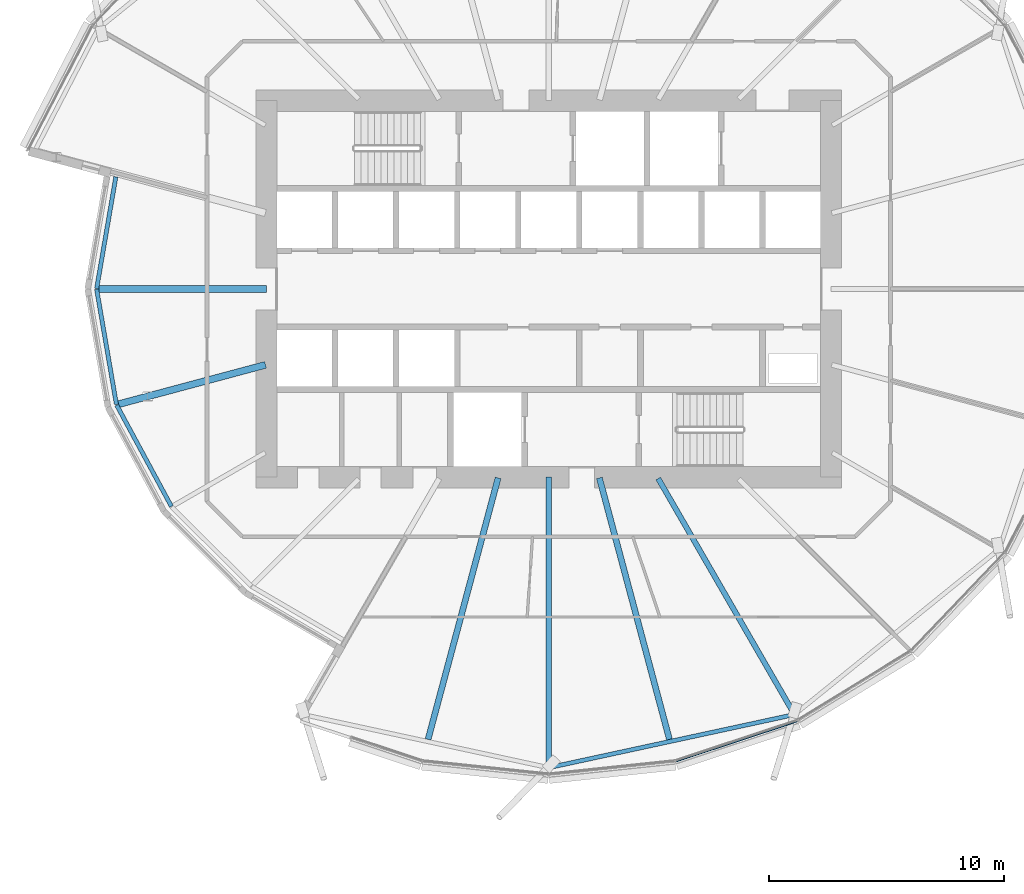
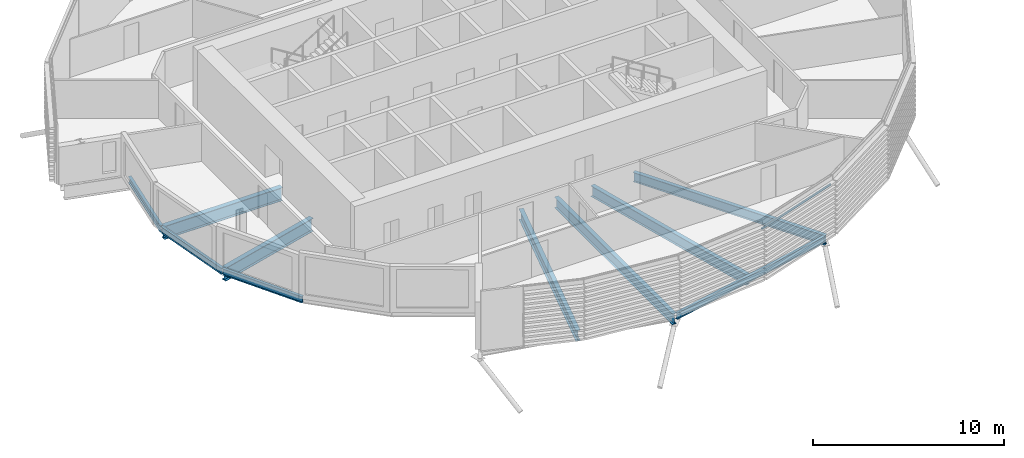
# One storey, part 4 of 37: 10 beams, 1 member, 1 element without a shape of its own.
"""IFC4 building model written with IfcOpenShell, lengths in metres."""

from ifc_helpers import new_model, si_unit, direction, frame, origin, origin_2d, place, context, subcontext, project, spatial, rectangle, i_section, extrude, material, material_profile, profile_set, type_object, element, aggregate, save


model = new_model("IFC4")

# Units and contexts
model_context = context("Model", 3, precision=1e-05, world=origin(), true_north=direction((0.0, 1.0)))
body_context = subcontext(model_context, "Body", "Model", "MODEL_VIEW")
ifc_project = project(units=[si_unit("LENGTHUNIT", "METRE"), si_unit("AREAUNIT", "SQUARE_METRE"), si_unit("VOLUMEUNIT", "CUBIC_METRE"), si_unit("PLANEANGLEUNIT", "RADIAN"), si_unit("MASSUNIT", "GRAM", prefix="KILO")], contexts=[model_context])

# Site, building, storey
site_placement = place(None, origin())
site = spatial("IfcSite", under=ifc_project, at=site_placement, CompositionType="ELEMENT")
building_placement = place(site_placement, origin())
building = spatial("IfcBuilding", under=site, at=building_placement, Name="Rimbun Link Towers", CompositionType="ELEMENT")
storey_placement = place(building_placement, frame((0.0, 0.0, 60.39990234375)))
storey = spatial("IfcBuildingStorey", under=building, at=storey_placement, Name="L14", CompositionType="ELEMENT", Elevation=60.39990234375)

# Curtain wall, member
ifc_material_1 = material(Name="Aluminium 6063-T6 and low-iron glass", Category="aluminium")
curtain_wall_type = type_object("IfcCurtainWallType", Name="CW1 unitised vision wall", PredefinedType="NOTDEFINED", material=ifc_material_1)
curtain_wall_placement = place(storey_placement, origin())
curtain_wall = element("IfcCurtainWall", 1, at=curtain_wall_placement, inside=storey, type_object=curtain_wall_type, Name="CW1 L14 T1", PredefinedType="NOTDEFINED")
ifc_material_2 = material(Name="Aluminium 6063-T6", Category="aluminium")
ifc_material_profile_1 = material_profile(ifc_material_2, rectangle(XDim=0.06005859375, YDim=0.1201171875, at=origin_2d()), Name="TRANSOM 60X120")
ifc_profile_set_1 = profile_set([ifc_material_profile_1], Name="Aluminium 6063-T6")
member_type = type_object("IfcMemberType", Name="CW1 transom 60X120", PredefinedType="USERDEFINED", material=ifc_profile_set_1)
member_placement = place(storey_placement, frame((-21.189208984375, -18.3740234375, 3.2001953125), z_axis=(-0.949235766139, -0.314565510318, 0.0), x_axis=(0.314565510318, -0.949235766139, 0.0)))
member = element("IfcMember", 2, at=member_placement, type_object=member_type, Name="CW1 transom", ObjectType="TRANSOM", PredefinedType="USERDEFINED", context=body_context, shape_type="SweptSolid", body=[
    extrude(rectangle(XDim=0.06005859375, YDim=0.1201171875, at=origin_2d()), origin(), (0.0, 0.0, 1.0), 5.421142578125),
])
aggregate(curtain_wall, [member])

# Beams
ifc_material_3 = material(Name="Steel S355J2", Category="steel")
ifc_material_profile_2 = material_profile(ifc_material_3, i_section(OverallWidth=0.177978515625, OverallDepth=0.406494140625, WebThickness=0.0078125, FlangeThickness=0.0126953125, at=origin_2d()), Name="UB 406x178x60")
ifc_profile_set_2 = profile_set([ifc_material_profile_2], Name="Steel S355J2")
beam_type_1 = type_object("IfcBeamType", Name="UB 406x178x60", PredefinedType="BEAM", material=ifc_profile_set_2)
beam_1_placement = place(storey_placement, frame((-50.1494140625, 4.762451171875, -0.363037109375), z_axis=(-0.169271959338, -0.985569380501, 0.0), x_axis=(0.985569380501, -0.169271959338, 0.0)))
element("IfcBeam", 3, at=beam_1_placement, inside=storey, type_object=beam_type_1, Name="Edge beam T1 L14 11 recess", PredefinedType="BEAM", context=body_context, shape_type="SweptSolid", body=[
    extrude(i_section(OverallWidth=0.177978515625, OverallDepth=0.406494140625, WebThickness=0.0078125, FlangeThickness=0.0126953125, at=origin_2d()), origin(), (0.0, 0.0, 1.0), 4.81591796875),
])
beam_2_placement = place(storey_placement, frame((-50.964599609375, -0.01611328125, -0.363037109375), z_axis=(0.169271015527, -0.985569542601, 0.0), x_axis=(0.985569542601, 0.169271015527, 0.0)))
element("IfcBeam", 4, at=beam_2_placement, inside=storey, type_object=beam_type_1, Name="Edge beam T1 L14 12 recess", PredefinedType="BEAM", context=body_context, shape_type="SweptSolid", body=[
    extrude(i_section(OverallWidth=0.177978515625, OverallDepth=0.406494140625, WebThickness=0.0078125, FlangeThickness=0.0126953125, at=origin_2d()), origin(), (0.0, 0.0, 1.0), 4.962890625),
])
beam_3_placement = place(storey_placement, frame((-50.114501953125, -4.936279296875, -0.363037109375), z_axis=(0.475199884623, -0.879877872011, 0.0), x_axis=(0.879877872011, 0.475199884623, 0.0)))
element("IfcBeam", 5, at=beam_3_placement, inside=storey, type_object=beam_type_1, Name="Edge beam T1 L14 13 recess", PredefinedType="BEAM", context=body_context, shape_type="SweptSolid", body=[
    extrude(i_section(OverallWidth=0.177978515625, OverallDepth=0.406494140625, WebThickness=0.0078125, FlangeThickness=0.0126953125, at=origin_2d()), origin(), (0.0, 0.0, 1.0), 4.895263671875),
])
beam_4_placement = place(storey_placement, frame((-31.622314453125, -20.320068359375, -0.363037109375), z_axis=(0.977392737339, 0.21143187318, 0.0), x_axis=(-0.21143187318, 0.977392737339, 0.0)))
element("IfcBeam", 6, at=beam_4_placement, inside=storey, type_object=beam_type_1, Name="Edge beam T1 L14 18-20", PredefinedType="BEAM", context=body_context, shape_type="SweptSolid", body=[
    extrude(i_section(OverallWidth=0.177978515625, OverallDepth=0.406494140625, WebThickness=0.0078125, FlangeThickness=0.0126953125, at=origin_2d()), origin(), (0.0, 0.0, 1.0), 10.433837890625),
])
ifc_material_4 = material(Name="Steel S355J2", Category="steel")
ifc_material_profile_3 = material_profile(ifc_material_4, i_section(OverallWidth=0.2275390625, OverallDepth=0.6025390625, WebThickness=0.010498046875, FlangeThickness=0.014892578125, at=origin_2d()), Name="UB 610x229x101")
ifc_profile_set_3 = profile_set([ifc_material_profile_3], Name="Steel S355J2")
beam_type_2 = type_object("IfcBeamType", Name="UB 610x229x101", PredefinedType="BEAM", material=ifc_profile_set_3)
beam_5_placement = place(storey_placement, frame((-27.097900390625, -8.057861328125, -0.461181640625), z_axis=(0.500008919292, -0.866020254168, 0.0), x_axis=(0.866020254168, 0.500008919292, 0.0)))
element("IfcBeam", 7, at=beam_5_placement, inside=storey, type_object=beam_type_2, Name="Radial beam T1 L14 20", PredefinedType="BEAM", context=body_context, shape_type="SweptSolid", body=[
    extrude(i_section(OverallWidth=0.2275390625, OverallDepth=0.6025390625, WebThickness=0.010498046875, FlangeThickness=0.014892578125, at=origin_2d()), origin(), (0.0, 0.0, 1.0), 11.582275390625),
])
ifc_material_5 = material(Name="Steel S355J2", Category="steel")
ifc_material_profile_4 = material_profile(ifc_material_5, i_section(OverallWidth=0.253662109375, OverallDepth=0.68359375, WebThickness=0.012451171875, FlangeThickness=0.01904296875, at=origin_2d()), Name="UB 686x254x140")
ifc_profile_set_4 = profile_set([ifc_material_profile_4], Name="Steel S355J2")
beam_type_3 = type_object("IfcBeamType", Name="UB 686x254x140", PredefinedType="BEAM", material=ifc_profile_set_4)
beam_6_placement = place(storey_placement, frame((-33.902587890625, -8.03369140625, -0.501708984375), z_axis=(-0.258819531339, -0.965925696002, 0.0), x_axis=(0.965925696002, -0.258819531339, 0.0)))
element("IfcBeam", 8, at=beam_6_placement, inside=storey, type_object=beam_type_3, Name="Radial beam T1 L14 17", PredefinedType="BEAM", context=body_context, shape_type="SweptSolid", body=[
    extrude(i_section(OverallWidth=0.253662109375, OverallDepth=0.68359375, WebThickness=0.012451171875, FlangeThickness=0.01904296875, at=origin_2d()), origin(), (0.0, 0.0, 1.0), 11.50439453125),
])
beam_7_placement = place(storey_placement, frame((-31.75, -8.0009765625, -0.501708984375), z_axis=(0.0, -1.0, 0.0), x_axis=(1.0, 0.0, 0.0)))
element("IfcBeam", 9, at=beam_7_placement, inside=storey, type_object=beam_type_3, Name="Radial beam T1 L14 18", PredefinedType="BEAM", context=body_context, shape_type="SweptSolid", body=[
    extrude(i_section(OverallWidth=0.253662109375, OverallDepth=0.68359375, WebThickness=0.012451171875, FlangeThickness=0.01904296875, at=origin_2d()), origin(), (0.0, 0.0, 1.0), 12.3466796875),
])
beam_8_placement = place(storey_placement, frame((-29.597412109375, -8.03369140625, -0.501708984375), z_axis=(0.258819531339, -0.965925696002, 0.0), x_axis=(0.965925696002, 0.258819531339, 0.0)))
element("IfcBeam", 10, at=beam_8_placement, inside=storey, type_object=beam_type_3, Name="Radial beam T1 L14 19", PredefinedType="BEAM", context=body_context, shape_type="SweptSolid", body=[
    extrude(i_section(OverallWidth=0.253662109375, OverallDepth=0.68359375, WebThickness=0.012451171875, FlangeThickness=0.01904296875, at=origin_2d()), origin(), (0.0, 0.0, 1.0), 11.50439453125),
])
ifc_material_6 = material(Name="Steel S355J2", Category="steel")
ifc_material_profile_5 = material_profile(ifc_material_6, i_section(OverallWidth=0.29248046875, OverallDepth=0.8408203125, WebThickness=0.0126953125, FlangeThickness=0.021728515625, at=origin_2d()), Name="UB 838x292x194")
ifc_profile_set_5 = profile_set([ifc_material_profile_5], Name="Steel S355J2")
beam_type_4 = type_object("IfcBeamType", Name="UB 838x292x194", PredefinedType="BEAM", material=ifc_profile_set_5)
beam_9_placement = place(storey_placement, frame((-43.7509765625, 0.0, -0.580322265625), z_axis=(-1.0, 0.0, 0.0), x_axis=(0.0, -1.0, 0.0)))
element("IfcBeam", 11, at=beam_9_placement, inside=storey, type_object=beam_type_4, Name="Radial beam T1 L14 12", PredefinedType="BEAM", context=body_context, shape_type="SweptSolid", body=[
    extrude(i_section(OverallWidth=0.29248046875, OverallDepth=0.8408203125, WebThickness=0.0126953125, FlangeThickness=0.021728515625, at=origin_2d()), origin(), (0.0, 0.0, 1.0), 7.12646484375),
])
beam_10_placement = place(storey_placement, frame((-43.788818359375, -3.225830078125, -0.580322265625), z_axis=(-0.965927828597, -0.258811572273, 0.0), x_axis=(0.258811572273, -0.965927828597, 0.0)))
element("IfcBeam", 12, at=beam_10_placement, inside=storey, type_object=beam_type_4, Name="Radial beam T1 L14 13", PredefinedType="BEAM", context=body_context, shape_type="SweptSolid", body=[
    extrude(i_section(OverallWidth=0.29248046875, OverallDepth=0.8408203125, WebThickness=0.0126953125, FlangeThickness=0.021728515625, at=origin_2d()), origin(), (0.0, 0.0, 1.0), 6.46630859375),
])

save(model, "model.ifc")
